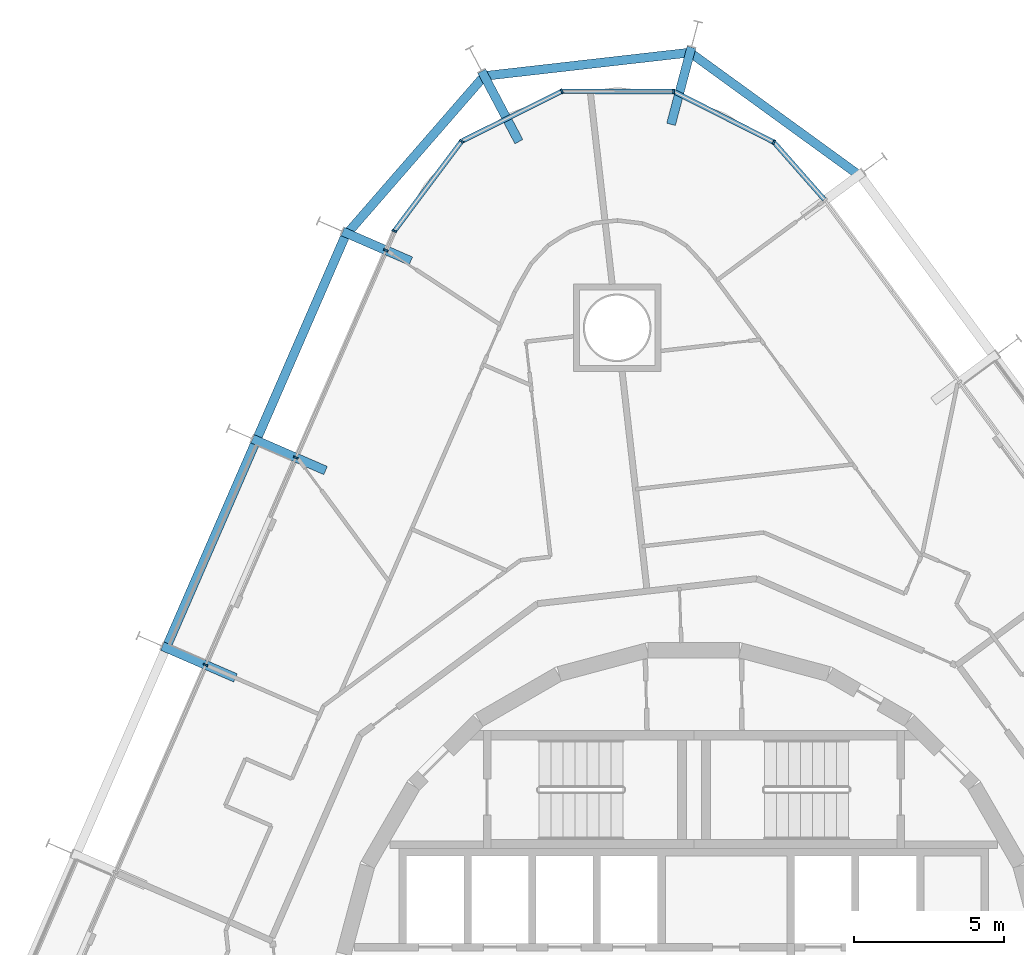
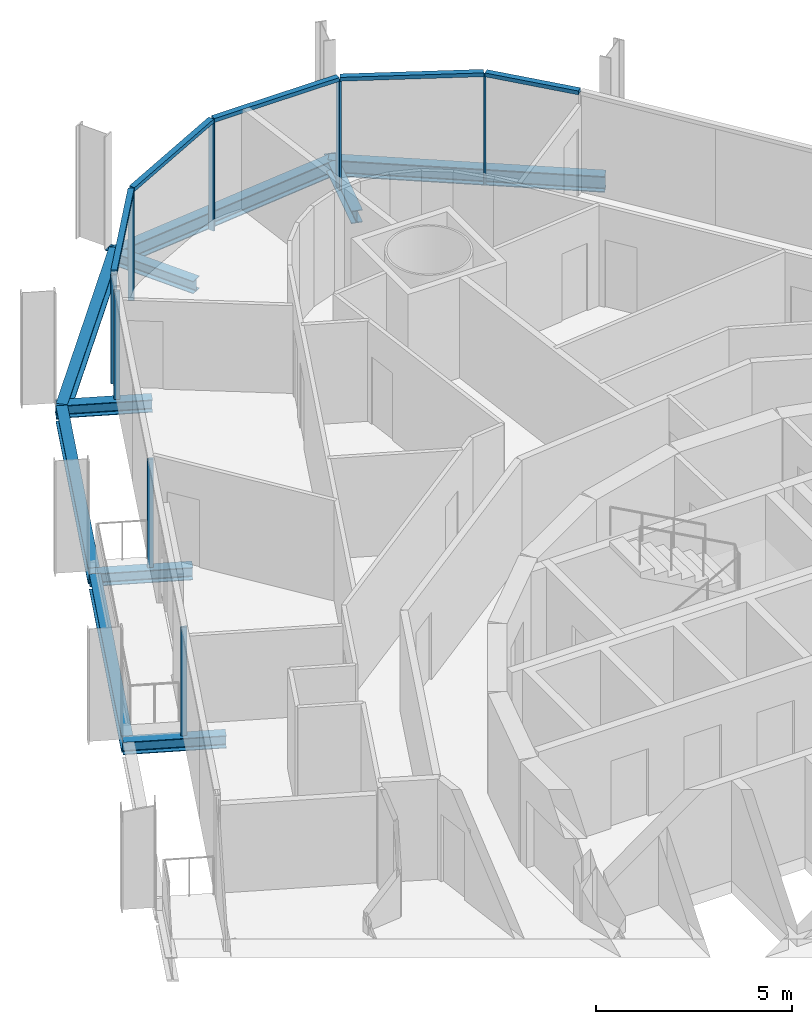
# One storey, part 9 of 23: 13 members, 10 beams, 2 elements without a shape of their own.
"""IFC4 building model written with IfcOpenShell, lengths in metres."""

import ifcopenshell
import ifcopenshell.guid

model = None  # the IFC model being written
_history = None  # IfcOwnerHistory: only IFC2X3 demands one
_inside = {}  # id of a spatial element -> (the spatial element, [elements in it])
_under = {}  # id of a project, library or spatial element -> (it, [spatial elements below it])
_declared = {}  # id of a project -> (the project, [libraries it declares])
_typed = {}  # id of a type object -> (the type object, [elements of that type])
_made_of = {}  # id of a material, layer set ... -> (it, [elements and type objects made of it])


def new_model(schema):
    """Start an empty IFC model of exactly this schema.

    Asked for "IFC4X3", IfcOpenShell would pick the latest addendum, in which some entities
    have other attributes; the version numbers below select the first issue.
    IFC2X3 requires an IfcOwnerHistory on every rooted entity: one is made here for all.
    """
    global model, _history
    if schema == "IFC4X3":
        model = ifcopenshell.file(schema_version=(4, 3, 0, 0))
    else:
        model = ifcopenshell.file(schema=schema)
    _inside.clear()
    _under.clear()
    _declared.clear()
    _typed.clear()
    _made_of.clear()
    _history = None
    if model.schema == "IFC2X3":
        org = make("IfcOrganization", Name="unknown")
        user = make(
            "IfcPersonAndOrganization",
            ThePerson=make("IfcPerson", FamilyName="unknown"),
            TheOrganization=org,
        )
        app = make(
            "IfcApplication",
            ApplicationDeveloper=org,
            Version="unknown",
            ApplicationFullName="unknown",
            ApplicationIdentifier="unknown",
        )
        _history = make(
            "IfcOwnerHistory",
            OwningUser=user,
            OwningApplication=app,
            ChangeAction="ADDED",
            CreationDate=0,
        )
    return model


def make(cls, **values):
    """One entity of the class cls with the attributes given. An attribute that is None is left unset."""
    return model.create_entity(
        cls, **{name: value for name, value in values.items() if value is not None}
    )


def rooted(cls, **values):
    """An entity with a GlobalId (a new one), such as an element, a storey or a relation."""
    return make(cls, GlobalId=ifcopenshell.guid.new(), OwnerHistory=_history, **values)


def si_unit(unit_type, name, prefix=None):
    """IfcSIUnit, for example si_unit("LENGTHUNIT", "METRE", prefix="MILLI")."""
    return make("IfcSIUnit", UnitType=unit_type, Prefix=prefix, Name=name)


def assignment(units):
    """IfcUnitAssignment: the units of a project."""
    return None if units is None else make("IfcUnitAssignment", Units=units)


def point(xyz):
    """IfcCartesianPoint."""
    return None if xyz is None else make("IfcCartesianPoint", Coordinates=xyz)


def direction(xyz):
    """IfcDirection."""
    return None if xyz is None else make("IfcDirection", DirectionRatios=xyz)


def frame(location, z_axis=None, x_axis=None):
    """IfcAxis2Placement3D, a coordinate frame: its origin and axes. An axis left out is left unset."""
    return make(
        "IfcAxis2Placement3D",
        Location=point(location),
        Axis=direction(z_axis),
        RefDirection=direction(x_axis),
    )


def frame_2d(location, x_axis=None):
    """IfcAxis2Placement2D, a coordinate frame in the plane: its origin and x axis."""
    return make(
        "IfcAxis2Placement2D", Location=point(location), RefDirection=direction(x_axis)
    )


def origin():
    """The frame at (0, 0, 0) with its axes left unset."""
    return frame((0.0, 0.0, 0.0))


def origin_2d():
    """The frame at (0, 0) in the plane with its x axis left unset."""
    return frame_2d((0.0, 0.0))


def place(relative_to, where):
    """IfcLocalPlacement: puts the frame where relative to a parent placement (None: the world)."""
    return make(
        "IfcLocalPlacement", PlacementRelTo=relative_to, RelativePlacement=where
    )


def context(
    kind, dimensions, precision=None, world=None, true_north=None, identifier=None
):
    """IfcGeometricRepresentationContext, for example the 3D "Model" context."""
    return make(
        "IfcGeometricRepresentationContext",
        ContextIdentifier=identifier,
        ContextType=kind,
        CoordinateSpaceDimension=dimensions,
        Precision=precision,
        WorldCoordinateSystem=world,
        TrueNorth=true_north,
    )


def subcontext(parent, identifier, kind, view, scale=None):
    """IfcGeometricRepresentationSubContext, for example "Body" below "Model"."""
    return make(
        "IfcGeometricRepresentationSubContext",
        ContextIdentifier=identifier,
        ContextType=kind,
        ParentContext=parent,
        TargetScale=scale,
        TargetView=view,
    )


def project(units=None, contexts=None):
    """IfcProject with its units and contexts."""
    return rooted(
        "IfcProject",
        Name="project",
        RepresentationContexts=contexts,
        UnitsInContext=assignment(units),
    )


def spatial(cls, under=None, at=None, **own):
    """A site, building, storey or space (cls), placed at a placement, below another one or the project."""
    s = rooted(cls, ObjectPlacement=at, **own)
    if under is not None:
        _under.setdefault(under.id(), (under, []))[1].append(s)
    return s


def profile(cls, at=None, kind="AREA", **sizes):
    """A parametric profile (cls). Its sizes go by their IFC names, for example OverallWidth=200.0."""
    return make(cls, ProfileType=kind, Position=at, **sizes)


def rectangle(**sizes):
    """IfcRectangleProfileDef."""
    return profile("IfcRectangleProfileDef", **sizes)


def i_section(**sizes):
    """IfcIShapeProfileDef."""
    return profile("IfcIShapeProfileDef", **sizes)


def extrude(swept, where, along, depth):
    """IfcExtrudedAreaSolid: the profile swept, set in the frame where, extruded along a direction by depth."""
    return make(
        "IfcExtrudedAreaSolid",
        SweptArea=swept,
        Position=where,
        ExtrudedDirection=direction(along),
        Depth=depth,
    )


def shape(context_of_items, identifier, shape_type, items):
    """IfcShapeRepresentation: the items that make up one representation, for example the "Body"."""
    return make(
        "IfcShapeRepresentation",
        ContextOfItems=context_of_items,
        RepresentationIdentifier=identifier,
        RepresentationType=shape_type,
        Items=items,
    )


def material(Name=None, Category=None):
    """IfcMaterial."""
    return make("IfcMaterial", Name=Name, Category=Category)


def layer(
    of_material, thickness, ventilated=None, Name=None, Category=None, Priority=None
):
    """IfcMaterialLayer: one layer of a wall or slab, of a material (None: an air gap)."""
    return make(
        "IfcMaterialLayer",
        Material=of_material,
        LayerThickness=thickness,
        IsVentilated=ventilated,
        Name=Name,
        Category=Category,
        Priority=Priority,
    )


def layer_set(layers, Name=None):
    """IfcMaterialLayerSet."""
    return make("IfcMaterialLayerSet", MaterialLayers=layers, LayerSetName=Name)


def material_profile(
    of_material, cross_section, Name=None, Category=None, Priority=None
):
    """IfcMaterialProfile: a cross section and its material."""
    return make(
        "IfcMaterialProfile",
        Name=Name,
        Material=of_material,
        Profile=cross_section,
        Priority=Priority,
        Category=Category,
    )


def profile_set(profiles, Name=None, composite=None):
    """IfcMaterialProfileSet."""
    return make(
        "IfcMaterialProfileSet",
        Name=Name,
        MaterialProfiles=profiles,
        CompositeProfile=composite,
    )


def made_of(thing, what):
    """Note that an element or type object is made of a material, layer set ...; save() writes the relation."""
    if what is not None:
        _made_of.setdefault(what.id(), (what, []))[1].append(thing)
    return thing


def type_object(cls, material=None, **own):
    """A type object (cls), such as IfcWallType, which elements share."""
    return made_of(rooted(cls, **own), material)


def element(
    cls,
    number,
    at=None,
    inside=None,
    cuts=None,
    type_object=None,
    material=None,
    context=None,
    identifier="Body",
    shape_type=None,
    held_by="IfcProductDefinitionShape",
    body=None,
    shapes=None,
    **own,
):
    """One element of the class cls, such as IfcWall. Its Tag is "e" and its number.

    at: its placement. inside: the storey or other place that contains it. cuts: it is an
    opening in that element (IfcRelVoidsElement). A single representation is given by context,
    identifier, shape_type and body (its items); several are given by shapes. held_by: the class
    of the entity that holds the representations. save() writes the other relations.
    """
    e = rooted(cls, Tag="e%d" % number, ObjectPlacement=at, **own)
    if body is not None:
        shapes = [shape(context, identifier, shape_type, body)]
    if shapes is not None:
        e.Representation = make(held_by, Representations=shapes)
    if inside is not None:
        _inside.setdefault(inside.id(), (inside, []))[1].append(e)
    if cuts is not None:
        rooted(
            "IfcRelVoidsElement", RelatingBuildingElement=cuts, RelatedOpeningElement=e
        )
    if type_object is not None:
        _typed.setdefault(type_object.id(), (type_object, []))[1].append(e)
    return made_of(e, material)


def aggregate(whole, parts):
    """IfcRelAggregates: a whole, such as a stair, and the parts it consists of."""
    return rooted("IfcRelAggregates", RelatingObject=whole, RelatedObjects=parts)


def save(model, path):
    """Write the relations noted so far, then the file.

    IfcRelAggregates (storeys below a building ...), IfcRelContainedInSpatialStructure (elements
    in a storey), IfcRelDefinesByType, IfcRelAssociatesMaterial and IfcRelDeclares: one each for
    every whole, place, type object, material and project.
    """
    for whole, parts in _under.values():
        aggregate(whole, parts)
    for where, things in _inside.values():
        rooted(
            "IfcRelContainedInSpatialStructure",
            RelatedElements=things,
            RelatingStructure=where,
        )
    for kind, things in _typed.values():
        rooted("IfcRelDefinesByType", RelatedObjects=things, RelatingType=kind)
    for what, things in _made_of.values():
        rooted("IfcRelAssociatesMaterial", RelatedObjects=things, RelatingMaterial=what)
    for by, libraries in _declared.values():
        rooted("IfcRelDeclares", RelatingContext=by, RelatedDefinitions=libraries)
    model.write(path)


model = new_model("IFC4")

# Units and contexts
model_context = context("Model", 3, precision=1e-05, world=origin(), true_north=direction((0.0, 1.0)))
body_context = subcontext(model_context, "Body", "Model", "MODEL_VIEW")
ifc_project = project(units=[si_unit("LENGTHUNIT", "METRE"), si_unit("AREAUNIT", "SQUARE_METRE"), si_unit("VOLUMEUNIT", "CUBIC_METRE"), si_unit("PLANEANGLEUNIT", "RADIAN"), si_unit("MASSUNIT", "GRAM", prefix="KILO")], contexts=[model_context])

# Site, building, storey
site_placement = place(None, origin())
site = spatial("IfcSite", under=ifc_project, at=site_placement, CompositionType="ELEMENT")
building_placement = place(site_placement, origin())
building = spatial("IfcBuilding", under=site, at=building_placement, Name="Spindle Arch Residences", CompositionType="ELEMENT")
storey_placement = place(building_placement, frame((0.0, 0.0, 83.699951171875)))
storey = spatial("IfcBuildingStorey", under=building, at=storey_placement, Name="L19", CompositionType="ELEMENT", Elevation=83.699951171875)

# Curtain wall, members
ifc_material_1 = material(Name="Aluminium bronze unitised frame with tinted glass", Category="aluminium")
ifc_layer_1 = layer(ifc_material_1, 0.159912109375)
ifc_layer_set_1 = layer_set([ifc_layer_1], Name="CW-D corner wall on the fillet arcs")
curtain_wall_type_1 = type_object("IfcCurtainWallType", Name="CW-D corner wall on the fillet arcs", PredefinedType="NOTDEFINED", material=ifc_layer_set_1)
curtain_wall_1_placement = place(storey_placement, origin())
curtain_wall_1 = element("IfcCurtainWall", 1, at=curtain_wall_1_placement, inside=storey, type_object=curtain_wall_type_1, Name="CW-D L19 run 3", PredefinedType="NOTDEFINED")
ifc_material_2 = material(Name="Aluminium bronze anodised mullion", Category="aluminium")
ifc_material_profile_1 = material_profile(ifc_material_2, rectangle(XDim=0.159912109375, YDim=0.06005859375, at=origin_2d()), Name="MU 60x160")
ifc_profile_set_1 = profile_set([ifc_material_profile_1], Name="Aluminium bronze anodised mullion")
member_type_1 = type_object("IfcMemberType", Name="Bronze mullion 60x160", PredefinedType="MULLION", material=ifc_profile_set_1)
member_1_placement = place(storey_placement, frame((2.662841796875, 28.544921875, -0.3798828125), z_axis=(0.0, 0.0, 1.0), x_axis=(-0.451396753797, -0.892323355439, 0.0)))
member_1 = element("IfcMember", 2, at=member_1_placement, type_object=member_type_1, Name="CW-D mullion 01", PredefinedType="MULLION", context=body_context, shape_type="SweptSolid", body=[
    extrude(rectangle(XDim=0.159912109375, YDim=0.06005859375, at=origin_2d()), origin(), (0.0, 0.0, 1.0), 3.3798828125),
])
member_2_placement = place(storey_placement, frame((-0.66259765625, 30.22705078125, -0.3798828125), z_axis=(0.0, 0.0, 1.0), x_axis=(-0.002908881551, -0.999995769195, 0.0)))
member_2 = element("IfcMember", 3, at=member_2_placement, type_object=member_type_1, Name="CW-D mullion 02", PredefinedType="MULLION", context=body_context, shape_type="SweptSolid", body=[
    extrude(rectangle(XDim=0.159912109375, YDim=0.06005859375, at=origin_2d()), origin(), (0.0, 0.0, 1.0), 3.3798828125),
])
member_3_placement = place(storey_placement, frame((-4.38916015625, 30.23779296875, -0.3798828125), z_axis=(0.0, 0.0, 1.0), x_axis=(0.446197812813, -0.89493436175, 0.0)))
member_3 = element("IfcMember", 4, at=member_3_placement, type_object=member_type_1, Name="CW-D mullion 03", PredefinedType="MULLION", context=body_context, shape_type="SweptSolid", body=[
    extrude(rectangle(XDim=0.159912109375, YDim=0.06005859375, at=origin_2d()), origin(), (0.0, 0.0, 1.0), 3.3798828125),
])
member_4_placement = place(storey_placement, frame((-7.724365234375, 28.574951171875, -0.3798828125), z_axis=(0.0, 0.0, 1.0), x_axis=(0.800382739909, -0.599489340736, 0.0)))
member_4 = element("IfcMember", 5, at=member_4_placement, type_object=member_type_1, Name="CW-D mullion 04", PredefinedType="MULLION", context=body_context, shape_type="SweptSolid", body=[
    extrude(rectangle(XDim=0.159912109375, YDim=0.06005859375, at=origin_2d()), origin(), (0.0, 0.0, 1.0), 3.3798828125),
])
member_5_placement = place(storey_placement, frame((-9.958740234375, 25.59228515625, -0.3798828125), z_axis=(0.0, 0.0, 1.0), x_axis=(0.917060074385, -0.398749068925, 0.0)))
member_5 = element("IfcMember", 6, at=member_5_placement, type_object=member_type_1, Name="CW-D mullion 05", PredefinedType="MULLION", context=body_context, shape_type="SweptSolid", body=[
    extrude(rectangle(XDim=0.159912109375, YDim=0.06005859375, at=origin_2d()), origin(), (0.0, 0.0, 1.0), 3.3798828125),
])

ifc_material_3 = material(Name="Aluminium bronze unitised frame with tinted glass", Category="aluminium")
ifc_layer_2 = layer(ifc_material_3, 0.159912109375)
ifc_layer_set_2 = layer_set([ifc_layer_2], Name="CW-C typical residential unitised wall")
curtain_wall_type_2 = type_object("IfcCurtainWallType", Name="CW-C typical residential unitised wall", PredefinedType="NOTDEFINED", material=ifc_layer_set_2)
curtain_wall_2_placement = place(storey_placement, origin())
curtain_wall_2 = element("IfcCurtainWall", 7, at=curtain_wall_2_placement, inside=storey, type_object=curtain_wall_type_2, Name="CW-C L19 run 4", PredefinedType="NOTDEFINED")
member_6_placement = place(storey_placement, frame((-10.23828125, 24.94873046875, -0.3798828125), z_axis=(0.0, 0.0, 1.0), x_axis=(0.917060074385, -0.398749068925, 0.0)))
member_6 = element("IfcMember", 8, at=member_6_placement, type_object=member_type_1, Name="CW-C mullion 13", PredefinedType="MULLION", context=body_context, shape_type="SweptSolid", body=[
    extrude(rectangle(XDim=0.159912109375, YDim=0.06005859375, at=origin_2d()), origin(), (0.0, 0.0, 1.0), 3.3798828125),
])
member_7_placement = place(storey_placement, frame((-13.236572265625, 18.0537109375, -0.3798828125), z_axis=(0.0, 0.0, 1.0), x_axis=(0.917060074385, -0.398749068925, 0.0)))
member_7 = element("IfcMember", 9, at=member_7_placement, type_object=member_type_1, Name="CW-C mullion 14", PredefinedType="MULLION", context=body_context, shape_type="SweptSolid", body=[
    extrude(rectangle(XDim=0.159912109375, YDim=0.06005859375, at=origin_2d()), origin(), (0.0, 0.0, 1.0), 3.3798828125),
])
member_8_placement = place(storey_placement, frame((-16.234619140625, 11.158447265625, -0.3798828125), z_axis=(0.0, 0.0, 1.0), x_axis=(0.917060074385, -0.398749068925, 0.0)))
member_8 = element("IfcMember", 10, at=member_8_placement, type_object=member_type_1, Name="CW-C mullion 15", PredefinedType="MULLION", context=body_context, shape_type="SweptSolid", body=[
    extrude(rectangle(XDim=0.159912109375, YDim=0.06005859375, at=origin_2d()), origin(), (0.0, 0.0, 1.0), 3.3798828125),
])
aggregate(curtain_wall_2, [member_6, member_7, member_8])

# Member
ifc_material_4 = material(Name="Aluminium bronze anodised transom", Category="aluminium")
ifc_material_profile_2 = material_profile(ifc_material_4, rectangle(XDim=0.159912109375, YDim=0.1201171875, at=origin_2d()), Name="TR 120x160")
ifc_profile_set_2 = profile_set([ifc_material_profile_2], Name="Aluminium bronze anodised transom")
member_type_2 = type_object("IfcMemberType", Name="Bronze transom 120x160", PredefinedType="USERDEFINED", material=ifc_profile_set_2)
member_9_placement = place(storey_placement, frame((4.34375, 26.635009765625, 3.06005859375), z_axis=(-0.660660732339, 0.750684618695, 0.0), x_axis=(-0.750684618695, -0.660660732339, 0.0)))
member_9 = element("IfcMember", 11, at=member_9_placement, type_object=member_type_2, Name="CW-D transom 00", ObjectType="TRANSOM", PredefinedType="USERDEFINED", context=body_context, shape_type="SweptSolid", body=[
    extrude(rectangle(XDim=0.159912109375, YDim=0.1201171875, at=origin_2d()), origin(), (0.0, 0.0, 1.0), 2.513916015625),
])

member_10_placement = place(storey_placement, frame((2.63623046875, 28.558349609375, 3.06005859375), z_axis=(-0.892313345479, 0.45141654099, 0.0), x_axis=(-0.45141654099, -0.892313345479, 0.0)))
member_10 = element("IfcMember", 12, at=member_10_placement, type_object=member_type_2, Name="CW-D transom 01", ObjectType="TRANSOM", PredefinedType="USERDEFINED", context=body_context, shape_type="SweptSolid", body=[
    extrude(rectangle(XDim=0.159912109375, YDim=0.1201171875, at=origin_2d()), origin(), (0.0, 0.0, 1.0), 3.666748046875),
])

member_11_placement = place(storey_placement, frame((-0.692626953125, 30.22705078125, 3.06005859375), z_axis=(-0.999995708684, 0.002929609906, 0.0), x_axis=(-0.002929609906, -0.999995708684, 0.0)))
member_11 = element("IfcMember", 13, at=member_11_placement, type_object=member_type_2, Name="CW-D transom 02", ObjectType="TRANSOM", PredefinedType="USERDEFINED", context=body_context, shape_type="SweptSolid", body=[
    extrude(rectangle(XDim=0.159912109375, YDim=0.1201171875, at=origin_2d()), origin(), (0.0, 0.0, 1.0), 3.666748046875),
])

member_12_placement = place(storey_placement, frame((-4.416015625, 30.224609375, 3.06005859375), z_axis=(-0.894919349856, -0.446227920745, 0.0), x_axis=(0.446227920745, -0.894919349856, 0.0)))
member_12 = element("IfcMember", 14, at=member_12_placement, type_object=member_type_2, Name="CW-D transom 03", ObjectType="TRANSOM", PredefinedType="USERDEFINED", context=body_context, shape_type="SweptSolid", body=[
    extrude(rectangle(XDim=0.159912109375, YDim=0.1201171875, at=origin_2d()), origin(), (0.0, 0.0, 1.0), 3.666748046875),
])

member_13_placement = place(storey_placement, frame((-7.742431640625, 28.551025390625, 3.06005859375), z_axis=(-0.599499190139, -0.800375362579, 0.0), x_axis=(0.800375362579, -0.599499190139, 0.0)))
member_13 = element("IfcMember", 15, at=member_13_placement, type_object=member_type_2, Name="CW-D transom 04", ObjectType="TRANSOM", PredefinedType="USERDEFINED", context=body_context, shape_type="SweptSolid", body=[
    extrude(rectangle(XDim=0.159912109375, YDim=0.1201171875, at=origin_2d()), origin(), (0.0, 0.0, 1.0), 3.666748046875),
])

aggregate(curtain_wall_1, [member_9, member_1, member_10, member_2, member_11, member_3, member_12, member_4, member_13, member_5])

# Beams
ifc_material_5 = material(Name="Steel S460ML, intumescent coating R 120", Category="steel")
ifc_material_profile_3 = material_profile(ifc_material_5, i_section(OverallWidth=0.300048828125, OverallDepth=0.5, WebThickness=0.014404296875, FlangeThickness=0.028076171875, FilletRadius=0.027099609375, at=origin_2d()), Name="HEB 500")
ifc_profile_set_3 = profile_set([ifc_material_profile_3], Name="Steel S460ML, intumescent coating R 120")
beam_type_1 = type_object("IfcBeamType", Name="Exoskeleton edge beam HEB 500", PredefinedType="BEAM", material=ifc_profile_set_3)
beam_1_placement = place(storey_placement, frame((5.552734375, 27.40478515625, -0.6298828125), z_axis=(-0.809296745618, 0.587400014923, 0.0), x_axis=(-0.587400014923, -0.809296745618, 0.0)))
element("IfcBeam", 16, at=beam_1_placement, inside=storey, type_object=beam_type_1, Name="Exoskeleton edge beam 11", PredefinedType="BEAM", context=body_context, shape_type="SweptSolid", body=[
    extrude(i_section(OverallWidth=0.300048828125, OverallDepth=0.5, WebThickness=0.014404296875, FlangeThickness=0.028076171875, FilletRadius=0.027099609375, at=origin_2d()), origin(), (0.0, 0.0, 1.0), 7.094482421875),
])
beam_2_placement = place(storey_placement, frame((-0.02685546875, 31.5361328125, -0.6298828125), z_axis=(-0.993571479585, -0.11320651463, 0.0), x_axis=(0.11320651463, -0.993571479585, 0.0)))
element("IfcBeam", 17, at=beam_2_placement, inside=storey, type_object=beam_type_1, Name="Exoskeleton edge beam 12", PredefinedType="BEAM", context=body_context, shape_type="SweptSolid", body=[
    extrude(i_section(OverallWidth=0.300048828125, OverallDepth=0.5, WebThickness=0.014404296875, FlangeThickness=0.028076171875, FilletRadius=0.027099609375, at=origin_2d()), origin(), (0.0, 0.0, 1.0), 7.086669921875),
])
beam_3_placement = place(storey_placement, frame((-6.918212890625, 30.80517578125, -0.6298828125), z_axis=(-0.656418952224, -0.754396552989, 0.0), x_axis=(0.754396552989, -0.656418952224, 0.0)))
element("IfcBeam", 18, at=beam_3_placement, inside=storey, type_object=beam_type_1, Name="Exoskeleton edge beam 13", PredefinedType="BEAM", context=body_context, shape_type="SweptSolid", body=[
    extrude(i_section(OverallWidth=0.300048828125, OverallDepth=0.5, WebThickness=0.014404296875, FlangeThickness=0.028076171875, FilletRadius=0.027099609375, at=origin_2d()), origin(), (0.0, 0.0, 1.0), 7.09423828125),
])
beam_4_placement = place(storey_placement, frame((-11.604248046875, 25.40087890625, -0.6298828125), z_axis=(-0.398772846535, -0.91704973522, 0.0), x_axis=(0.91704973522, -0.398772846535, 0.0)))
element("IfcBeam", 19, at=beam_4_placement, inside=storey, type_object=beam_type_1, Name="Exoskeleton edge beam 14", PredefinedType="BEAM", context=body_context, shape_type="SweptSolid", body=[
    extrude(i_section(OverallWidth=0.300048828125, OverallDepth=0.5, WebThickness=0.014404296875, FlangeThickness=0.028076171875, FilletRadius=0.027099609375, at=origin_2d()), origin(), (0.0, 0.0, 1.0), 7.258544921875),
])
beam_5_placement = place(storey_placement, frame((-14.602294921875, 18.505859375, -0.6298828125), z_axis=(-0.398760546857, -0.917055083553, 0.0), x_axis=(0.917055083553, -0.398760546857, 0.0)))
element("IfcBeam", 20, at=beam_5_placement, inside=storey, type_object=beam_type_1, Name="Exoskeleton edge beam 15", PredefinedType="BEAM", context=body_context, shape_type="SweptSolid", body=[
    extrude(i_section(OverallWidth=0.300048828125, OverallDepth=0.5, WebThickness=0.014404296875, FlangeThickness=0.028076171875, FilletRadius=0.027099609375, at=origin_2d()), origin(), (0.0, 0.0, 1.0), 7.2587890625),
])
ifc_material_6 = material(Name="Steel S460ML, intumescent coating R 120", Category="steel")
ifc_material_profile_4 = material_profile(ifc_material_6, i_section(OverallWidth=0.300048828125, OverallDepth=0.389892578125, WebThickness=0.010986328125, FlangeThickness=0.01904296875, FilletRadius=0.027099609375, at=origin_2d()), Name="HEA 400")
ifc_profile_set_4 = profile_set([ifc_material_profile_4], Name="Steel S460ML, intumescent coating R 120")
beam_type_2 = type_object("IfcBeamType", Name="Floor outrigger HEA 400", PredefinedType="BEAM", material=ifc_profile_set_4)
beam_6_placement = place(storey_placement, frame((-0.079345703125, 31.698974609375, -0.574951171875), z_axis=(-0.255930543214, -0.966695172767, 0.0), x_axis=(0.966695172767, -0.255930543214, 0.0)))
element("IfcBeam", 21, at=beam_6_placement, inside=storey, type_object=beam_type_2, Name="Floor outrigger 12", PredefinedType="BEAM", context=body_context, shape_type="SweptSolid", body=[
    extrude(i_section(OverallWidth=0.300048828125, OverallDepth=0.389892578125, WebThickness=0.010986328125, FlangeThickness=0.01904296875, FilletRadius=0.027099609375, at=origin_2d()), origin(), (0.0, 0.0, 1.0), 2.650146484375),
])
beam_7_placement = place(storey_placement, frame((-7.05322265625, 30.904296875, -0.574951171875), z_axis=(0.466748611055, -0.88439003504, 0.0), x_axis=(0.88439003504, 0.466748611055, 0.0)))
element("IfcBeam", 22, at=beam_7_placement, inside=storey, type_object=beam_type_2, Name="Floor outrigger 13", PredefinedType="BEAM", context=body_context, shape_type="SweptSolid", body=[
    extrude(i_section(OverallWidth=0.300048828125, OverallDepth=0.389892578125, WebThickness=0.010986328125, FlangeThickness=0.01904296875, FilletRadius=0.027099609375, at=origin_2d()), origin(), (0.0, 0.0, 1.0), 2.64990234375),
])
beam_8_placement = place(storey_placement, frame((-11.677978515625, 25.574951171875, -0.574951171875), z_axis=(0.917041778062, -0.398791144948, 0.0), x_axis=(0.398791144948, 0.917041778062, 0.0)))
element("IfcBeam", 23, at=beam_8_placement, inside=storey, type_object=beam_type_2, Name="Floor outrigger 14", PredefinedType="BEAM", context=body_context, shape_type="SweptSolid", body=[
    extrude(i_section(OverallWidth=0.300048828125, OverallDepth=0.389892578125, WebThickness=0.010986328125, FlangeThickness=0.01904296875, FilletRadius=0.027099609375, at=origin_2d()), origin(), (0.0, 0.0, 1.0), 2.470947265625),
])
for number, where, z_axis, x_axis, name in (
    (24, (-14.67626953125, 18.6796875, -0.574951171875), (0.917064197317, -0.398739586698, 0.0), (0.398739586698, 0.917064197317, 0.0), "Floor outrigger 15"),
    (25, (-17.67431640625, 11.784423828125, -0.574951171875), (0.917064197317, -0.398739586698, 0.0), (0.398739586698, 0.917064197317, 0.0), "Floor outrigger 16"),
):
    element("IfcBeam", number, at=place(storey_placement, frame(where, z_axis=z_axis, x_axis=x_axis)), inside=storey, type_object=beam_type_2, Name=name, PredefinedType="BEAM", context=body_context, shape_type="SweptSolid", body=[
        extrude(i_section(OverallWidth=0.300048828125, OverallDepth=0.389892578125, WebThickness=0.010986328125, FlangeThickness=0.01904296875, FilletRadius=0.027099609375, at=origin_2d()), origin(), (0.0, 0.0, 1.0), 2.64990234375),
    ])

save(model, "model.ifc")
